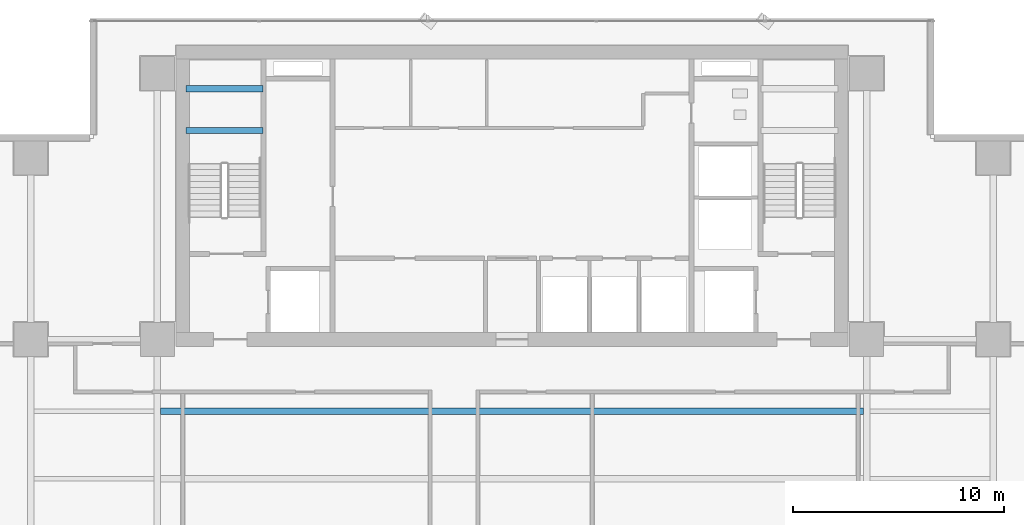
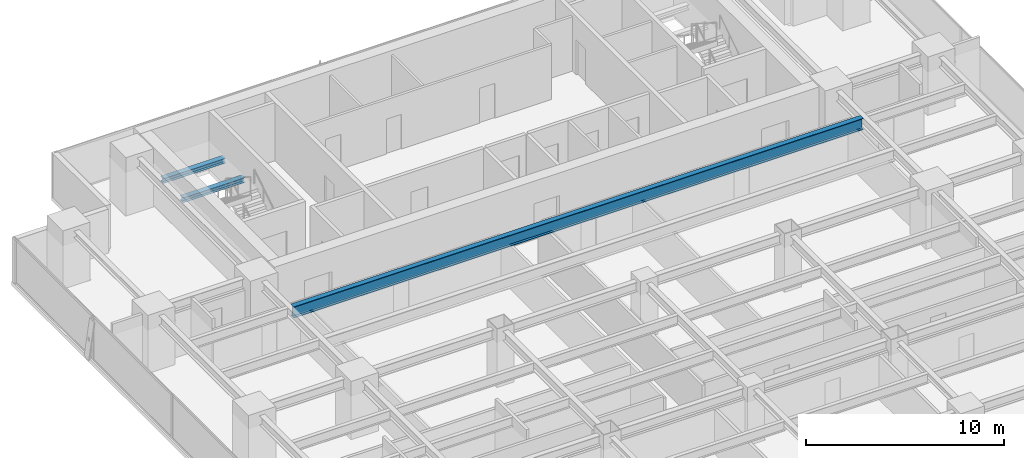
# One storey, part 19 of 34: 3 beams.
"""IFC4 building model written with IfcOpenShell, lengths in metres."""

from ifc_helpers import new_model, si_unit, direction, frame, origin, origin_2d, place, context, subcontext, project, spatial, i_section, extrude, source, transform, mapped, material, material_profile, profile_set, type_object, element, save


model = new_model("IFC4")

# Units and contexts
model_context = context("Model", 3, precision=1e-05, world=origin(), true_north=direction((0.0, 1.0)))
body_context = subcontext(model_context, "Body", "Model", "MODEL_VIEW")
ifc_project = project(units=[si_unit("LENGTHUNIT", "METRE"), si_unit("AREAUNIT", "SQUARE_METRE"), si_unit("VOLUMEUNIT", "CUBIC_METRE"), si_unit("PLANEANGLEUNIT", "RADIAN"), si_unit("MASSUNIT", "GRAM", prefix="KILO")], contexts=[model_context])

# Site, building, storey
site_placement = place(None, origin())
site = spatial("IfcSite", under=ifc_project, at=site_placement, CompositionType="ELEMENT")
building_placement = place(site_placement, origin())
building = spatial("IfcBuilding", under=site, at=building_placement, Name="Sumidabori Civic Tower", CompositionType="ELEMENT")
storey_placement = place(building_placement, frame((0.0, 0.0, 106.39990234375)))
storey = spatial("IfcBuildingStorey", under=building, at=storey_placement, Name="L27", CompositionType="ELEMENT", Elevation=106.39990234375)

# Beams
ifc_material = material(Name="Steel SN490", Category="steel")
ifc_material_profile_1 = material_profile(ifc_material, i_section(OverallWidth=0.300048828125, OverallDepth=0.300048828125, WebThickness=0.010986328125, FlangeThickness=0.01904296875, at=origin_2d()), Name="HE 300 B")
ifc_profile_set_1 = profile_set([ifc_material_profile_1], Name="Steel SN490")
beam_type_1 = type_object("IfcBeamType", Name="BM-LDG-300", PredefinedType="BEAM", material=ifc_profile_set_1)
shared_shape_1 = source(origin(), body_context, "Body", "SweptSolid", [
    extrude(i_section(OverallWidth=0.300048828125, OverallDepth=0.300048828125, WebThickness=0.010986328125, FlangeThickness=0.01904296875, at=origin_2d()), origin(), (0.0, 0.0, 1.0), 3.64990234375),
])
for number, where, z_axis, x_axis, name in (
    (1, (-15.449951171875, 20.09765625, 1.4501953125), (1.0, 0.0, 0.0), (0.0, 1.0, 0.0), "Stair ST-1 Landing Support Beam L27-1A"),
    (2, (-15.449951171875, 22.069580078125, 1.4501953125), (1.0, 0.0, 0.0), (0.0, 1.0, 0.0), "Stair ST-1 Landing Trimmer Beam L27-1B"),
):
    element("IfcBeam", number, at=place(storey_placement, frame(where, z_axis=z_axis, x_axis=x_axis)), inside=storey, type_object=beam_type_1, Name=name, PredefinedType="BEAM", context=body_context, shape_type="MappedRepresentation", body=[
        mapped(shared_shape_1, transform((0.0, 0.0, 0.0), x_axis=(1.0, 0.0, 0.0), y_axis=(0.0, 1.0, 0.0), z_axis=(0.0, 0.0, 1.0), scale=1.0)),
    ])
ifc_material_profile_2 = material_profile(ifc_material, i_section(OverallWidth=0.300048828125, OverallDepth=0.699951171875, WebThickness=0.01708984375, FlangeThickness=0.031982421875, at=origin_2d()), Name="HE 700 B")
ifc_profile_set_2 = profile_set([ifc_material_profile_2], Name="Steel SN490")
beam_type_2 = type_object("IfcBeamType", Name="BM-GIRD-700", PredefinedType="BEAM", material=ifc_profile_set_2)
shared_shape_2 = source(origin(), body_context, "Body", "SweptSolid", [
    extrude(i_section(OverallWidth=0.300048828125, OverallDepth=0.699951171875, WebThickness=0.01708984375, FlangeThickness=0.031982421875, at=origin_2d()), origin(), (0.0, 0.0, 1.0), 33.2998046875),
])
beam_placement = place(storey_placement, frame((-16.64990234375, 6.800048828125, 3.010009765625), z_axis=(1.0, 0.0, 0.0), x_axis=(0.0, 1.0, 0.0)))
element("IfcBeam", 3, at=beam_placement, inside=storey, type_object=beam_type_2, Name="North Bay Floor Beam L27 JSTN-54", PredefinedType="BEAM", context=body_context, shape_type="MappedRepresentation", body=[
    mapped(shared_shape_2, transform((0.0, 0.0, 0.0), x_axis=(1.0, 0.0, 0.0), y_axis=(0.0, 1.0, 0.0), z_axis=(0.0, 0.0, 1.0), scale=1.0)),
])

save(model, "model.ifc")
